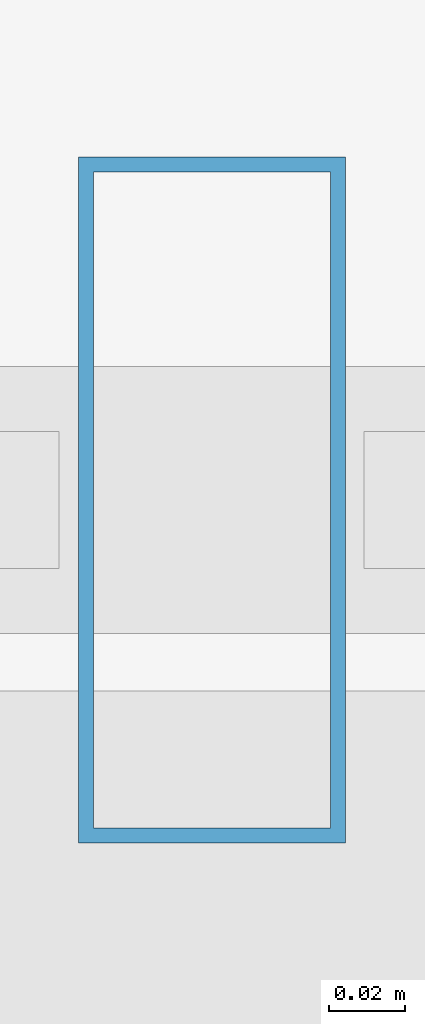
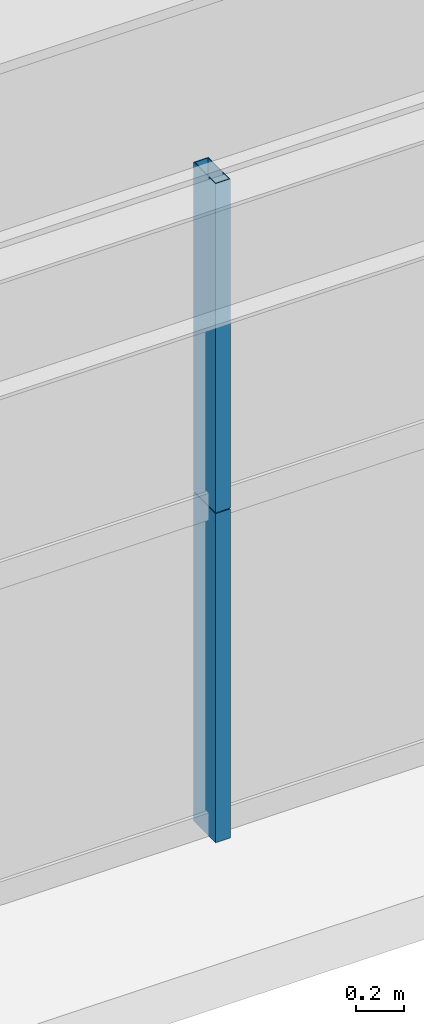
# One storey, part 13 of 44: 2 members, 1 element without a shape of its own.
"""IFC4 building model written with IfcOpenShell, lengths in metres."""

from ifc_helpers import new_model, si_unit, direction, frame, origin, origin_2d, place, context, subcontext, project, spatial, hollow_rectangle, extrude, source, transform, mapped, material, layer, layer_set, material_profile, profile_set, type_object, element, aggregate, save


model = new_model("IFC4")

# Units and contexts
model_context = context("Model", 3, precision=1e-05, world=origin(), true_north=direction((0.0, 1.0)))
body_context = subcontext(model_context, "Body", "Model", "MODEL_VIEW")
ifc_project = project(units=[si_unit("LENGTHUNIT", "METRE"), si_unit("AREAUNIT", "SQUARE_METRE"), si_unit("VOLUMEUNIT", "CUBIC_METRE"), si_unit("PLANEANGLEUNIT", "RADIAN"), si_unit("MASSUNIT", "GRAM", prefix="KILO"), si_unit("THERMODYNAMICTEMPERATUREUNIT", "KELVIN"), si_unit("POWERUNIT", "WATT")], contexts=[model_context])

# Site, building, storey
site_placement = place(None, origin())
site = spatial("IfcSite", under=ifc_project, at=site_placement, CompositionType="ELEMENT")
building_placement = place(site_placement, origin())
building = spatial("IfcBuilding", under=site, at=building_placement, Name="Yuzanri Waterfront Tower", CompositionType="ELEMENT")
storey_placement = place(building_placement, frame((0.0, 0.0, 82.0)))
storey = spatial("IfcBuildingStorey", under=building, at=storey_placement, Name="L21", CompositionType="ELEMENT", Elevation=82.0)

# Curtain wall, members
ifc_material_1 = material(Name="Anodized Architectural Bronze", Category="metal")
ifc_layer = layer(ifc_material_1, 0.159912109375)
ifc_layer_set = layer_set([ifc_layer], Name="Anodized Architectural Bronze")
curtain_wall_type = type_object("IfcCurtainWallType", Name="Anodized Bronze Hotel Lower-Tier Recessed Unitized Curtain Wall 8100", PredefinedType="NOTDEFINED", material=ifc_layer_set)
curtain_wall_placement = place(storey_placement, origin())
curtain_wall = element("IfcCurtainWall", 1, at=curtain_wall_placement, inside=storey, type_object=curtain_wall_type, Name="L21 Curtain Wall CW-L21-SR", PredefinedType="NOTDEFINED")
ifc_material_2 = material(Name="Anodized Architectural Bronze", Category="metal")
ifc_material_profile = material_profile(ifc_material_2, hollow_rectangle(XDim=0.070068359375, YDim=0.179931640625, WallThickness=0.00390625, at=origin_2d()), Name="CWM 70x180")
ifc_profile_set = profile_set([ifc_material_profile], Name="Anodized Architectural Bronze")
member_type = type_object("IfcMemberType", Name="Anodized Bronze Standard Curtain-Wall Mullion 70x180", PredefinedType="MULLION", material=ifc_profile_set)
shared_shape = source(origin(), body_context, "Body", "SweptSolid", [
    extrude(hollow_rectangle(XDim=0.070068359375, YDim=0.179931640625, WallThickness=0.00390625, at=origin_2d()), origin(), (0.0, 0.0, 1.0), 1.657958984375),
])
member_1_placement = place(storey_placement, frame((46.10009765625, 0.85009765625, 0.0), z_axis=(0.0, 0.0, 1.0), x_axis=(1.0, 0.0, 0.0)))
member_1 = element("IfcMember", 2, at=member_1_placement, type_object=member_type, Name="CW-L21-SR Lower Mullion 01", PredefinedType="MULLION", context=body_context, shape_type="MappedRepresentation", body=[
    mapped(shared_shape, transform((0.0, 0.0, 0.0), scale=1.0)),
])
member_2_placement = place(storey_placement, frame((46.10009765625, 0.85009765625, 1.662109375), z_axis=(0.0, 0.0, 1.0), x_axis=(1.0, 0.0, 0.0)))
member_2 = element("IfcMember", 3, at=member_2_placement, type_object=member_type, Name="CW-L21-SR Upper Mullion 01", PredefinedType="MULLION", context=body_context, shape_type="MappedRepresentation", body=[
    mapped(shared_shape, transform((0.0, 0.0, 0.0), scale=1.0)),
])
aggregate(curtain_wall, [member_1, member_2])

save(model, "model.ifc")
